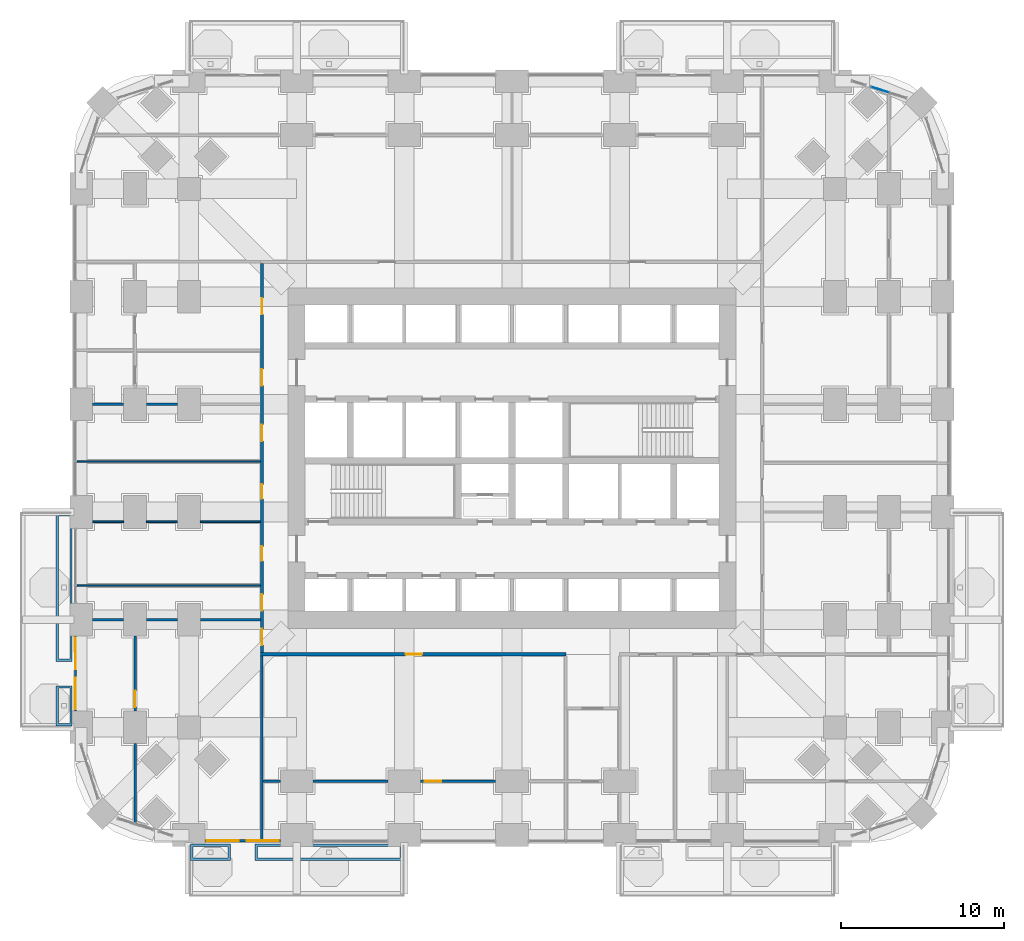
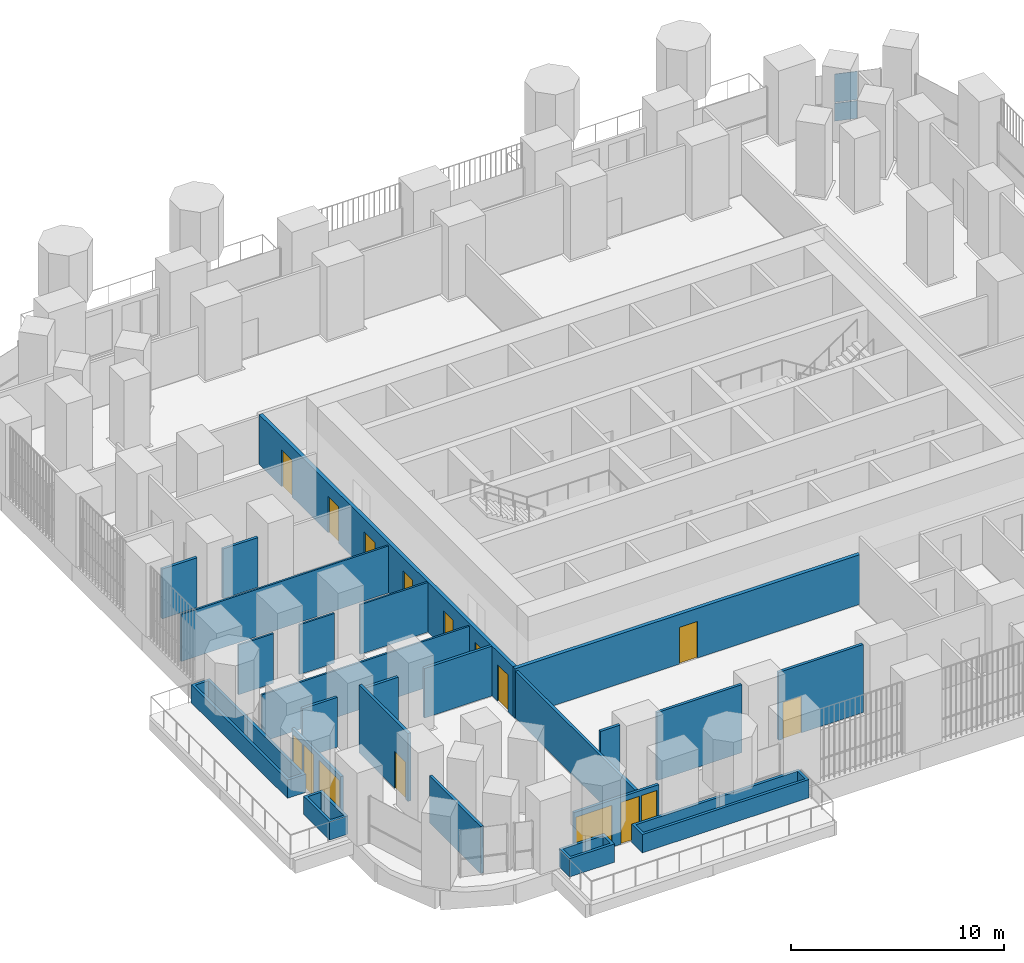
# One storey, part 16 of 25: 24 walls, 12 doors, 4 windows, 2 plates, 16 openings, 1 element without a shape of its own.
"""IFC4 building model written with IfcOpenShell, lengths in metres."""

from ifc_helpers import new_model, si_unit, direction, frame, frame_2d, origin, origin_2d, place, context, subcontext, project, spatial, polyline, rectangle, outline, extrude, material, layer, layer_set, type_object, element, fill, aggregate, save


model = new_model("IFC4")

# Units and contexts
model_context = context("Model", 3, precision=1e-05, world=origin(), true_north=direction((0.0, 1.0)))
body_context = subcontext(model_context, "Body", "Model", "MODEL_VIEW")
ifc_project = project(units=[si_unit("LENGTHUNIT", "METRE"), si_unit("AREAUNIT", "SQUARE_METRE"), si_unit("VOLUMEUNIT", "CUBIC_METRE"), si_unit("PLANEANGLEUNIT", "RADIAN"), si_unit("MASSUNIT", "GRAM", prefix="KILO")], contexts=[model_context])

# Site, building, storey
site_placement = place(None, origin())
site = spatial("IfcSite", under=ifc_project, at=site_placement, CompositionType="ELEMENT")
building_placement = place(site_placement, origin())
building = spatial("IfcBuilding", under=site, at=building_placement, Name="Cobogo Forest Laboratory Tower", CompositionType="ELEMENT")
storey_placement = place(building_placement, frame((0.0, 0.0, 21.300048828125)))
storey = spatial("IfcBuildingStorey", under=building, at=storey_placement, Name="L04", CompositionType="ELEMENT", Elevation=21.300048828125)

# Curtain wall, plates
ifc_material_1 = material(Name="Aluminium curtain wall", Category="aluminium")
curtain_wall_type = type_object("IfcCurtainWallType", Name="CW-1 unitised curtain wall, clear glazing, laboratory floors zones A and B", PredefinedType="USERDEFINED", material=ifc_material_1)
curtain_wall_placement = place(storey_placement, origin())
curtain_wall = element("IfcCurtainWall", 1, at=curtain_wall_placement, inside=storey, type_object=curtain_wall_type, Name="Curtain wall 16 L04", ObjectType="UNITISED CURTAIN WALL", PredefinedType="USERDEFINED")
ifc_material_2 = material(Name="Clear insulated glass", Category="glass")
ifc_layer_1 = layer(ifc_material_2, 0.028076171875)
ifc_layer_set_1 = layer_set([ifc_layer_1], Name="GP-1 clear insulated glass unit 28")
plate_type = type_object("IfcPlateType", Name="GP-1 clear insulated glass unit 28", PredefinedType="CURTAIN_PANEL", material=ifc_layer_set_1)
plate_1_placement = place(storey_placement, frame((48.963623046875, 45.67724609375, 0.0), z_axis=(0.0, 0.0, 1.0), x_axis=(-0.953581409645, 0.301135343623, 0.0)))
plate_1 = element("IfcPlate", 2, at=plate_1_placement, type_object=plate_type, Name="CW-1 panel 2.1", PredefinedType="CURTAIN_PANEL", context=body_context, shape_type="SweptSolid", body=[
    extrude(rectangle(XDim=1.11572265625, YDim=0.028076171875, at=origin_2d()), origin(), (0.0, 0.0, 1.0), 1.02001953125),
])
plate_2_placement = place(storey_placement, frame((48.963623046875, 45.67724609375, 1.079833984375), z_axis=(0.0, 0.0, 1.0), x_axis=(-0.953581409645, 0.301135343623, 0.0)))
plate_2 = element("IfcPlate", 3, at=plate_2_placement, type_object=plate_type, Name="CW-1 panel 2.2", PredefinedType="CURTAIN_PANEL", context=body_context, shape_type="SweptSolid", body=[
    extrude(rectangle(XDim=1.11572265625, YDim=0.028076171875, at=origin_2d()), origin(), (0.0, 0.0, 1.0), 1.6201171875),
])
aggregate(curtain_wall, [plate_1, plate_2])

# Wall, openings, door, windows
ifc_material_3 = material(Name="Aluminium framed glazed screen", Category="aluminium")
ifc_layer_2 = layer(ifc_material_3, 0.14990234375)
ifc_layer_set_2 = layer_set([ifc_layer_2], Name="GS1 glazed door screen 150")
wall_type_1 = type_object("IfcWallType", Name="GS1 glazed door screen 150", PredefinedType="SOLIDWALL", material=ifc_layer_set_2)
wall_1_placement = place(storey_placement, frame((7.60009765625, -0.35009765625, 0.0), z_axis=(0.0, 0.0, 1.0), x_axis=(1.0, 0.0, 0.0)))
wall_1 = element("IfcWall", 4, at=wall_1_placement, inside=storey, type_object=wall_type_1, Name="Door screen BAL-S1 L04", PredefinedType="SOLIDWALL", context=body_context, shape_type="SweptSolid", body=[
    extrude(rectangle(XDim=4.599853515625, YDim=0.14990234375, at=frame_2d((2.2998046875, 0.0))), origin(), (0.0, 0.0, 1.0), 2.699951171875),
])
opening_1_placement = place(wall_1_placement, frame((2.550048828125, 0.0, 0.0)))
opening_1 = element("IfcOpeningElement", 5, at=opening_1_placement, cuts=wall_1, Name="Opening L04-D01", PredefinedType="OPENING", context=body_context, shape_type="SweptSolid", body=[
    extrude(rectangle(XDim=1.0, YDim=2.39990234375, at=frame_2d((0.5, 1.199951171875))), frame((0.0, 0.0849609375, 0.0), z_axis=(0.0, -1.0, 0.0), x_axis=(1.0, 0.0, 0.0)), (0.0, 0.0, 1.0), 0.169921875),
])
opening_2_placement = place(wall_1_placement, frame((0.10009765625, 0.0, 0.10009765625)))
opening_2 = element("IfcOpeningElement", 6, at=opening_2_placement, cuts=wall_1, Name="Opening L04-W01", PredefinedType="OPENING", context=body_context, shape_type="SweptSolid", body=[
    extrude(rectangle(XDim=1.949951171875, YDim=2.300048828125, at=frame_2d((0.97509765625, 1.14990234375))), frame((0.0, 0.0849609375, 0.0), z_axis=(0.0, -1.0, 0.0), x_axis=(1.0, 0.0, 0.0)), (0.0, 0.0, 1.0), 0.169921875),
])
opening_3_placement = place(wall_1_placement, frame((3.64990234375, 0.0, 0.10009765625)))
opening_3 = element("IfcOpeningElement", 7, at=opening_3_placement, cuts=wall_1, Name="Opening L04-W02", PredefinedType="OPENING", context=body_context, shape_type="SweptSolid", body=[
    extrude(rectangle(XDim=0.85009765625, YDim=2.300048828125, at=frame_2d((0.425048828125, 1.14990234375))), frame((0.0, 0.0849609375, 0.0), z_axis=(0.0, -1.0, 0.0), x_axis=(1.0, 0.0, 0.0)), (0.0, 0.0, 1.0), 0.169921875),
])
ifc_material_4 = material(Name="Aluminium glazed door", Category="aluminium")
door_type_1 = type_object("IfcDoorType", Name="DB1 balcony door 1000 glazed", OperationType="SINGLE_SWING_LEFT", PredefinedType="DOOR", material=ifc_material_4)
door_1_placement = place(opening_1_placement, origin())
door_1 = element("IfcDoor", 8, at=door_1_placement, inside=storey, type_object=door_type_1, Name="Door L04-BAL-S1", OperationType="SINGLE_SWING_RIGHT", OverallHeight=2.39990234375, OverallWidth=1.0, PredefinedType="DOOR", context=body_context, shape_type="SweptSolid", body=[
    extrude(rectangle(XDim=1.0, YDim=2.39990234375, at=frame_2d((0.5, 1.199951171875))), frame((0.0, 0.02490234375, 0.0), z_axis=(0.0, -1.0, 0.0), x_axis=(1.0, 0.0, 0.0)), (0.0, 0.0, 1.0), 0.050048828125),
])
fill(opening_1, door_1)
ifc_material_5 = material(Name="Aluminium framed glazing", Category="aluminium")
window_type_1 = type_object("IfcWindowType", Name="WG1 fixed glazed light 1950x2300", PartitioningType="SINGLE_PANEL", PredefinedType="WINDOW", material=ifc_material_5)
window_1_placement = place(opening_2_placement, origin())
window_1 = element("IfcWindow", 9, at=window_1_placement, inside=storey, type_object=window_type_1, Name="Window L04-BAL-S1-1", OverallHeight=2.300048828125, OverallWidth=1.949951171875, PartitioningType="SINGLE_PANEL", PredefinedType="WINDOW", context=body_context, shape_type="SweptSolid", body=[
    extrude(rectangle(XDim=1.949951171875, YDim=2.300048828125, at=frame_2d((0.97509765625, 1.14990234375))), frame((0.0, 0.030029296875, 0.0), z_axis=(0.0, -1.0, 0.0), x_axis=(1.0, 0.0, 0.0)), (0.0, 0.0, 1.0), 0.06005859375),
])
fill(opening_2, window_1)
window_type_2 = type_object("IfcWindowType", Name="WG2 fixed glazed light 850x2300", PartitioningType="SINGLE_PANEL", PredefinedType="WINDOW", material=ifc_material_5)
window_2_placement = place(opening_3_placement, origin())
window_2 = element("IfcWindow", 10, at=window_2_placement, inside=storey, type_object=window_type_2, Name="Window L04-BAL-S1-2", OverallHeight=2.300048828125, OverallWidth=0.85009765625, PartitioningType="SINGLE_PANEL", PredefinedType="WINDOW", context=body_context, shape_type="SweptSolid", body=[
    extrude(rectangle(XDim=0.85009765625, YDim=2.300048828125, at=frame_2d((0.425048828125, 1.14990234375))), frame((0.0, 0.030029296875, 0.0), z_axis=(0.0, -1.0, 0.0), x_axis=(1.0, 0.0, 0.0)), (0.0, 0.0, 1.0), 0.06005859375),
])
fill(opening_3, window_2)

wall_2_placement = place(storey_placement, frame((-0.35009765625, 12.199951171875, 0.0), z_axis=(0.0, 0.0, 1.0), x_axis=(0.0, -1.0, 0.0)))
wall_2 = element("IfcWall", 11, at=wall_2_placement, inside=storey, type_object=wall_type_1, Name="Door screen BAL-W1 L04", PredefinedType="SOLIDWALL", context=body_context, shape_type="SweptSolid", body=[
    extrude(rectangle(XDim=4.599853515625, YDim=0.14990234375, at=frame_2d((2.2998046875, 0.0))), origin(), (0.0, 0.0, 1.0), 2.699951171875),
])
opening_4_placement = place(wall_2_placement, frame((1.050048828125, 0.0, 0.0)))
opening_4 = element("IfcOpeningElement", 12, at=opening_4_placement, cuts=wall_2, Name="Opening L04-D08", PredefinedType="OPENING", context=body_context, shape_type="SweptSolid", body=[
    extrude(rectangle(XDim=1.0, YDim=2.39990234375, at=frame_2d((0.5, 1.199951171875))), frame((0.0, 0.0849609375, 0.0), z_axis=(0.0, -1.0, 0.0), x_axis=(1.0, 0.0, 0.0)), (0.0, 0.0, 1.0), 0.169921875),
])
opening_5_placement = place(wall_2_placement, frame((0.10009765625, 0.0, 0.10009765625)))
opening_5 = element("IfcOpeningElement", 13, at=opening_5_placement, cuts=wall_2, Name="Opening L04-W07", PredefinedType="OPENING", context=body_context, shape_type="SweptSolid", body=[
    extrude(rectangle(XDim=0.85009765625, YDim=2.300048828125, at=frame_2d((0.425048828125, 1.14990234375))), frame((0.0, 0.0849609375, 0.0), z_axis=(0.0, -1.0, 0.0), x_axis=(1.0, 0.0, 0.0)), (0.0, 0.0, 1.0), 0.169921875),
])
opening_6_placement = place(wall_2_placement, frame((2.550048828125, 0.0, 0.10009765625)))
opening_6 = element("IfcOpeningElement", 14, at=opening_6_placement, cuts=wall_2, Name="Opening L04-W05", PredefinedType="OPENING", context=body_context, shape_type="SweptSolid", body=[
    extrude(rectangle(XDim=1.949951171875, YDim=2.300048828125, at=frame_2d((0.97509765625, 1.14990234375))), frame((0.0, 0.0849609375, 0.0), z_axis=(0.0, -1.0, 0.0), x_axis=(1.0, 0.0, 0.0)), (0.0, 0.0, 1.0), 0.169921875),
])
door_2_placement = place(opening_4_placement, origin())
door_2 = element("IfcDoor", 15, at=door_2_placement, inside=storey, type_object=door_type_1, Name="Door L04-BAL-W1", OperationType="SINGLE_SWING_LEFT", OverallHeight=2.39990234375, OverallWidth=1.0, PredefinedType="DOOR", context=body_context, shape_type="SweptSolid", body=[
    extrude(rectangle(XDim=1.0, YDim=2.39990234375, at=frame_2d((0.5, 1.199951171875))), frame((0.0, 0.02490234375, 0.0), z_axis=(0.0, -1.0, 0.0), x_axis=(1.0, 0.0, 0.0)), (0.0, 0.0, 1.0), 0.050048828125),
])
fill(opening_4, door_2)
window_3_placement = place(opening_6_placement, origin())
window_3 = element("IfcWindow", 16, at=window_3_placement, inside=storey, type_object=window_type_1, Name="Window L04-BAL-W1-2", OverallHeight=2.300048828125, OverallWidth=1.949951171875, PartitioningType="SINGLE_PANEL", PredefinedType="WINDOW", context=body_context, shape_type="SweptSolid", body=[
    extrude(rectangle(XDim=1.949951171875, YDim=2.300048828125, at=frame_2d((0.97509765625, 1.14990234375))), frame((0.0, 0.030029296875, 0.0), z_axis=(0.0, -1.0, 0.0), x_axis=(1.0, 0.0, 0.0)), (0.0, 0.0, 1.0), 0.06005859375),
])
fill(opening_6, window_3)
window_4_placement = place(opening_5_placement, origin())
window_4 = element("IfcWindow", 17, at=window_4_placement, inside=storey, type_object=window_type_2, Name="Window L04-BAL-W1-1", OverallHeight=2.300048828125, OverallWidth=0.85009765625, PartitioningType="SINGLE_PANEL", PredefinedType="WINDOW", context=body_context, shape_type="SweptSolid", body=[
    extrude(rectangle(XDim=0.85009765625, YDim=2.300048828125, at=frame_2d((0.425048828125, 1.14990234375))), frame((0.0, 0.030029296875, 0.0), z_axis=(0.0, -1.0, 0.0), x_axis=(1.0, 0.0, 0.0)), (0.0, 0.0, 1.0), 0.06005859375),
])
fill(opening_5, window_4)

# Walls
ifc_material_6 = material(Name="Gypsum board on steel studs", Category="steel")
ifc_layer_3 = layer(ifc_material_6, 0.14990234375)
ifc_layer_set_3 = layer_set([ifc_layer_3], Name="PT1 laboratory partition 150")
wall_type_2 = type_object("IfcWallType", Name="PT1 laboratory partition 150", PredefinedType="PARTITIONING", material=ifc_layer_set_3)
wall_3_placement = place(storey_placement, frame((11.074951171875, -0.27001953125, 0.0), z_axis=(0.0, 0.0, 1.0), x_axis=(0.0, 1.0, 0.0)))
element("IfcWall", 18, at=wall_3_placement, inside=storey, type_object=wall_type_2, Name="Partition PW-SW L04", PredefinedType="PARTITIONING", context=body_context, shape_type="SweptSolid", body=[
    extrude(rectangle(XDim=11.2451171875, YDim=0.14990234375, at=frame_2d((5.62255859375, 0.0))), origin(), (0.0, 0.0, 1.0), 2.699951171875),
])
wall_4_placement = place(storey_placement, frame((11.14990234375, 3.300048828125, 0.0), z_axis=(0.0, 0.0, 1.0), x_axis=(1.0, 0.0, 0.0)))
element("IfcWall", 19, at=wall_4_placement, inside=storey, type_object=wall_type_2, Name="Partition STRIP-S-1 L04", PredefinedType="PARTITIONING", context=body_context, shape_type="SweptSolid", body=[
    extrude(rectangle(XDim=1.050048828125, YDim=0.14990234375, at=frame_2d((0.52490234375, 0.0))), origin(), (0.0, 0.0, 1.0), 3.89990234375),
])
wall_5_placement = place(storey_placement, frame((14.199951171875, 3.300048828125, 0.0), z_axis=(0.0, 0.0, 1.0), x_axis=(1.0, 0.0, 0.0)))
element("IfcWall", 20, at=wall_5_placement, inside=storey, type_object=wall_type_2, Name="Partition STRIP-S-2 L04", PredefinedType="PARTITIONING", context=body_context, shape_type="SweptSolid", body=[
    extrude(rectangle(XDim=4.60009765625, YDim=0.14990234375, at=frame_2d((2.300048828125, 0.0))), origin(), (0.0, 0.0, 1.0), 3.89990234375),
])

# Wall, opening, door
wall_6_placement = place(storey_placement, frame((20.800048828125, 3.300048828125, 0.0), z_axis=(0.0, 0.0, 1.0), x_axis=(1.0, 0.0, 0.0)))
wall_6 = element("IfcWall", 21, at=wall_6_placement, inside=storey, type_object=wall_type_2, Name="Partition STRIP-S-3 L04", PredefinedType="PARTITIONING", context=body_context, shape_type="SweptSolid", body=[
    extrude(rectangle(XDim=4.599853515625, YDim=0.14990234375, at=frame_2d((2.2998046875, 0.0))), origin(), (0.0, 0.0, 1.0), 3.89990234375),
])
opening_7_placement = place(wall_6_placement, frame((0.25, 0.0, 0.0)))
opening_7 = element("IfcOpeningElement", 22, at=opening_7_placement, cuts=wall_6, Name="Opening L04-D03", PredefinedType="OPENING", context=body_context, shape_type="SweptSolid", body=[
    extrude(rectangle(XDim=1.0, YDim=2.10009765625, at=frame_2d((0.5, 1.050048828125))), frame((0.0, 0.0849609375, 0.0), z_axis=(0.0, -1.0, 0.0), x_axis=(1.0, 0.0, 0.0)), (0.0, 0.0, 1.0), 0.169921875),
])
ifc_material_7 = material(Name="Timber fire door", Category="wood")
door_type_2 = type_object("IfcDoorType", Name="FD2 fire door 1000 EI2 30", OperationType="SINGLE_SWING_LEFT", PredefinedType="DOOR", material=ifc_material_7)
door_3_placement = place(opening_7_placement, origin())
door_3 = element("IfcDoor", 23, at=door_3_placement, inside=storey, type_object=door_type_2, Name="Door L04-S1W", OperationType="SINGLE_SWING_LEFT", OverallHeight=2.10009765625, OverallWidth=1.0, PredefinedType="DOOR", context=body_context, shape_type="SweptSolid", body=[
    extrude(rectangle(XDim=1.0, YDim=2.10009765625, at=frame_2d((0.5, 1.050048828125))), frame((0.0, 0.02490234375, 0.0), z_axis=(0.0, -1.0, 0.0), x_axis=(1.0, 0.0, 0.0)), (0.0, 0.0, 1.0), 0.050048828125),
])
fill(opening_7, door_3)

wall_7_placement = place(storey_placement, frame((3.300048828125, 12.199951171875, 0.0), z_axis=(0.0, 0.0, 1.0), x_axis=(0.0, -1.0, 0.0)))
wall_7 = element("IfcWall", 24, at=wall_7_placement, inside=storey, type_object=wall_type_2, Name="Partition STRIP-W-3 L04", PredefinedType="PARTITIONING", context=body_context, shape_type="SweptSolid", body=[
    extrude(rectangle(XDim=4.599853515625, YDim=0.14990234375, at=frame_2d((2.2998046875, 0.0))), origin(), (0.0, 0.0, 1.0), 3.89990234375),
])
opening_8_placement = place(wall_7_placement, frame((3.35009765625, 0.0, 0.0)))
opening_8 = element("IfcOpeningElement", 25, at=opening_8_placement, cuts=wall_7, Name="Opening L04-D07", PredefinedType="OPENING", context=body_context, shape_type="SweptSolid", body=[
    extrude(rectangle(XDim=1.0, YDim=2.10009765625, at=frame_2d((0.5, 1.050048828125))), frame((0.0, 0.0849609375, 0.0), z_axis=(0.0, -1.0, 0.0), x_axis=(1.0, 0.0, 0.0)), (0.0, 0.0, 1.0), 0.169921875),
])
door_4_placement = place(opening_8_placement, origin())
door_4 = element("IfcDoor", 26, at=door_4_placement, inside=storey, type_object=door_type_2, Name="Door L04-W1W", OperationType="SINGLE_SWING_RIGHT", OverallHeight=2.10009765625, OverallWidth=1.0, PredefinedType="DOOR", context=body_context, shape_type="SweptSolid", body=[
    extrude(rectangle(XDim=1.0, YDim=2.10009765625, at=frame_2d((0.5, 1.050048828125))), frame((0.0, 0.02490234375, 0.0), z_axis=(0.0, -1.0, 0.0), x_axis=(1.0, 0.0, 0.0)), (0.0, 0.0, 1.0), 0.050048828125),
])
fill(opening_8, door_4)

# Walls
wall_8_placement = place(storey_placement, frame((3.300048828125, 5.60009765625, 0.0), z_axis=(0.0, 0.0, 1.0), x_axis=(0.0, -1.0, 0.0)))
element("IfcWall", 27, at=wall_8_placement, inside=storey, type_object=wall_type_2, Name="Partition STRIP-W-4 L04", PredefinedType="PARTITIONING", context=body_context, shape_type="SweptSolid", body=[
    extrude(rectangle(XDim=4.823974609375, YDim=0.14990234375, at=frame_2d((2.412109375, 0.0))), origin(), (0.0, 0.0, 1.0), 2.699951171875),
])
wall_9_placement = place(storey_placement, frame((0.699951171875, 13.199951171875, 0.0), z_axis=(0.0, 0.0, 1.0), x_axis=(1.0, 0.0, 0.0)))
element("IfcWall", 28, at=wall_9_placement, inside=storey, type_object=wall_type_2, Name="Partition CUT-W13.2-1 L04", PredefinedType="PARTITIONING", context=body_context, shape_type="SweptSolid", body=[
    extrude(rectangle(XDim=1.900146484375, YDim=0.14990234375, at=frame_2d((0.9501953125, 0.0))), origin(), (0.0, 0.0, 1.0), 2.849853515625),
])
wall_10_placement = place(storey_placement, frame((4.0, 13.199951171875, 0.0), z_axis=(0.0, 0.0, 1.0), x_axis=(1.0, 0.0, 0.0)))
element("IfcWall", 29, at=wall_10_placement, inside=storey, type_object=wall_type_2, Name="Partition CUT-W13.2-2 L04", PredefinedType="PARTITIONING", context=body_context, shape_type="SweptSolid", body=[
    extrude(rectangle(XDim=1.89990234375, YDim=0.14990234375, at=frame_2d((0.949951171875, 0.0))), origin(), (0.0, 0.0, 1.0), 2.849853515625),
])
wall_11_placement = place(storey_placement, frame((7.300048828125, 13.199951171875, 0.0), z_axis=(0.0, 0.0, 1.0), x_axis=(1.0, 0.0, 0.0)))
element("IfcWall", 30, at=wall_11_placement, inside=storey, type_object=wall_type_2, Name="Partition CUT-W13.2-3 L04", PredefinedType="PARTITIONING", context=body_context, shape_type="SweptSolid", body=[
    extrude(rectangle(XDim=3.675048828125, YDim=0.14990234375, at=frame_2d((1.83740234375, 0.0))), origin(), (0.0, 0.0, 1.0), 2.849853515625),
])
wall_12_placement = place(storey_placement, frame((0.699951171875, 26.39990234375, 0.0), z_axis=(0.0, 0.0, 1.0), x_axis=(1.0, 0.0, 0.0)))
element("IfcWall", 31, at=wall_12_placement, inside=storey, type_object=wall_type_2, Name="Partition CUT-W26.4-1 L04", PredefinedType="PARTITIONING", context=body_context, shape_type="SweptSolid", body=[
    extrude(rectangle(XDim=1.900146484375, YDim=0.14990234375, at=frame_2d((0.9501953125, 0.0))), origin(), (0.0, 0.0, 1.0), 2.849853515625),
])
wall_13_placement = place(storey_placement, frame((4.0, 26.39990234375, 0.0), z_axis=(0.0, 0.0, 1.0), x_axis=(1.0, 0.0, 0.0)))
element("IfcWall", 32, at=wall_13_placement, inside=storey, type_object=wall_type_2, Name="Partition CUT-W26.4-2 L04", PredefinedType="PARTITIONING", context=body_context, shape_type="SweptSolid", body=[
    extrude(rectangle(XDim=1.89990234375, YDim=0.14990234375, at=frame_2d((0.949951171875, 0.0))), origin(), (0.0, 0.0, 1.0), 2.849853515625),
])

# Wall, opening, door
ifc_layer_4 = layer(ifc_material_6, 0.199951171875)
ifc_layer_set_4 = layer_set([ifc_layer_4], Name="PT2 fire-rated corridor partition 200")
wall_type_3 = type_object("IfcWallType", Name="PT2 fire-rated corridor partition 200", PredefinedType="PARTITIONING", material=ifc_layer_set_4)
wall_14_placement = place(storey_placement, frame((10.97509765625, 11.074951171875, 0.0), z_axis=(0.0, 0.0, 1.0), x_axis=(1.0, 0.0, 0.0)))
wall_14 = element("IfcWall", 33, at=wall_14_placement, inside=storey, type_object=wall_type_3, Name="Partition CORR-S-1 L04", PredefinedType="PARTITIONING", context=body_context, shape_type="SweptSolid", body=[
    extrude(rectangle(XDim=18.724853515625, YDim=0.199951171875, at=frame_2d((9.3623046875, 0.0))), origin(), (0.0, 0.0, 1.0), 2.849853515625),
])
opening_9_placement = place(wall_14_placement, frame((8.91259765625, 0.0, 0.0)))
opening_9 = element("IfcOpeningElement", 34, at=opening_9_placement, cuts=wall_14, Name="Opening L04-D10", PredefinedType="OPENING", context=body_context, shape_type="SweptSolid", body=[
    extrude(rectangle(XDim=1.0, YDim=2.10009765625, at=frame_2d((0.5, 1.050048828125))), frame((0.0, 0.10986328125, 0.0), z_axis=(0.0, -1.0, 0.0), x_axis=(1.0, 0.0, 0.0)), (0.0, 0.0, 1.0), 0.219970703125),
])
door_5_placement = place(opening_9_placement, origin())
door_5 = element("IfcDoor", 35, at=door_5_placement, inside=storey, type_object=door_type_2, Name="Door L04-S1", OperationType="SINGLE_SWING_RIGHT", OverallHeight=2.10009765625, OverallWidth=1.0, PredefinedType="DOOR", context=body_context, shape_type="SweptSolid", body=[
    extrude(rectangle(XDim=1.0, YDim=2.10009765625, at=frame_2d((0.5, 1.050048828125))), frame((0.0, 0.02490234375, 0.0), z_axis=(0.0, -1.0, 0.0), x_axis=(1.0, 0.0, 0.0)), (0.0, 0.0, 1.0), 0.050048828125),
])
fill(opening_9, door_5)

# Wall, openings, doors
wall_15_placement = place(storey_placement, frame((11.074951171875, 11.175048828125, 0.0), z_axis=(0.0, 0.0, 1.0), x_axis=(0.0, 1.0, 0.0)))
wall_15 = element("IfcWall", 36, at=wall_15_placement, inside=storey, type_object=wall_type_3, Name="Partition CORR-W L04", PredefinedType="PARTITIONING", context=body_context, shape_type="SweptSolid", body=[
    extrude(rectangle(XDim=23.849853515625, YDim=0.199951171875, at=frame_2d((11.9248046875, 0.0))), origin(), (0.0, 0.0, 1.0), 2.849853515625),
])
opening_10_placement = place(wall_15_placement, frame((0.46240234375, 0.0, 0.0)))
opening_10 = element("IfcOpeningElement", 37, at=opening_10_placement, cuts=wall_15, Name="Opening L04-D14", PredefinedType="OPENING", context=body_context, shape_type="SweptSolid", body=[
    extrude(rectangle(XDim=1.0, YDim=2.10009765625, at=frame_2d((0.5, 1.050048828125))), frame((0.0, 0.10986328125, 0.0), z_axis=(0.0, -1.0, 0.0), x_axis=(1.0, 0.0, 0.0)), (0.0, 0.0, 1.0), 0.219970703125),
])
opening_11_placement = place(wall_15_placement, frame((2.574951171875, 0.0, 0.0)))
opening_11 = element("IfcOpeningElement", 38, at=opening_11_placement, cuts=wall_15, Name="Opening L04-D15", PredefinedType="OPENING", context=body_context, shape_type="SweptSolid", body=[
    extrude(rectangle(XDim=1.0, YDim=2.10009765625, at=frame_2d((0.5, 1.050048828125))), frame((0.0, 0.10986328125, 0.0), z_axis=(0.0, -1.0, 0.0), x_axis=(1.0, 0.0, 0.0)), (0.0, 0.0, 1.0), 0.219970703125),
])
opening_12_placement = place(wall_15_placement, frame((5.625, 0.0, 0.0)))
opening_12 = element("IfcOpeningElement", 39, at=opening_12_placement, cuts=wall_15, Name="Opening L04-D18", PredefinedType="OPENING", context=body_context, shape_type="SweptSolid", body=[
    extrude(rectangle(XDim=0.89990234375, YDim=2.10009765625, at=frame_2d((0.449951171875, 1.050048828125))), frame((0.0, 0.10986328125, 0.0), z_axis=(0.0, -1.0, 0.0), x_axis=(1.0, 0.0, 0.0)), (0.0, 0.0, 1.0), 0.219970703125),
])
opening_13_placement = place(wall_15_placement, frame((9.425048828125, 0.0, 0.0)))
opening_13 = element("IfcOpeningElement", 40, at=opening_13_placement, cuts=wall_15, Name="Opening L04-D25", PredefinedType="OPENING", context=body_context, shape_type="SweptSolid", body=[
    extrude(rectangle(XDim=0.89990234375, YDim=2.10009765625, at=frame_2d((0.449951171875, 1.050048828125))), frame((0.0, 0.10986328125, 0.0), z_axis=(0.0, -1.0, 0.0), x_axis=(1.0, 0.0, 0.0)), (0.0, 0.0, 1.0), 0.219970703125),
])
opening_14_placement = place(wall_15_placement, frame((12.97509765625, 0.0, 0.0)))
opening_14 = element("IfcOpeningElement", 41, at=opening_14_placement, cuts=wall_15, Name="Opening L04-D28", PredefinedType="OPENING", context=body_context, shape_type="SweptSolid", body=[
    extrude(rectangle(XDim=1.0, YDim=2.10009765625, at=frame_2d((0.5, 1.050048828125))), frame((0.0, 0.10986328125, 0.0), z_axis=(0.0, -1.0, 0.0), x_axis=(1.0, 0.0, 0.0)), (0.0, 0.0, 1.0), 0.219970703125),
])
opening_15_placement = place(wall_15_placement, frame((16.375, 0.0, 0.0)))
opening_15 = element("IfcOpeningElement", 42, at=opening_15_placement, cuts=wall_15, Name="Opening L04-D30", PredefinedType="OPENING", context=body_context, shape_type="SweptSolid", body=[
    extrude(rectangle(XDim=1.0, YDim=2.10009765625, at=frame_2d((0.5, 1.050048828125))), frame((0.0, 0.10986328125, 0.0), z_axis=(0.0, -1.0, 0.0), x_axis=(1.0, 0.0, 0.0)), (0.0, 0.0, 1.0), 0.219970703125),
])
opening_16_placement = place(wall_15_placement, frame((20.737548828125, 0.0, 0.0)))
opening_16 = element("IfcOpeningElement", 43, at=opening_16_placement, cuts=wall_15, Name="Opening L04-D36", PredefinedType="OPENING", context=body_context, shape_type="SweptSolid", body=[
    extrude(rectangle(XDim=1.0, YDim=2.10009765625, at=frame_2d((0.5, 1.050048828125))), frame((0.0, 0.10986328125, 0.0), z_axis=(0.0, -1.0, 0.0), x_axis=(1.0, 0.0, 0.0)), (0.0, 0.0, 1.0), 0.219970703125),
])
ifc_material_8 = material(Name="Steel fire door", Category="steel")
door_type_3 = type_object("IfcDoorType", Name="FD1 fire door 1000 EI2 60", OperationType="SINGLE_SWING_LEFT", PredefinedType="DOOR", material=ifc_material_8)
door_6_placement = place(opening_16_placement, origin())
door_6 = element("IfcDoor", 44, at=door_6_placement, inside=storey, type_object=door_type_3, Name="Door L04-W4", OperationType="SINGLE_SWING_RIGHT", OverallHeight=2.10009765625, OverallWidth=1.0, PredefinedType="DOOR", context=body_context, shape_type="SweptSolid", body=[
    extrude(rectangle(XDim=1.0, YDim=2.10009765625, at=frame_2d((0.5, 1.050048828125))), frame((0.0, 0.02490234375, 0.0), z_axis=(0.0, -1.0, 0.0), x_axis=(1.0, 0.0, 0.0)), (0.0, 0.0, 1.0), 0.050048828125),
])
fill(opening_16, door_6)
door_7_placement = place(opening_10_placement, origin())
door_7 = element("IfcDoor", 45, at=door_7_placement, inside=storey, type_object=door_type_2, Name="Door L04-W1", OperationType="SINGLE_SWING_LEFT", OverallHeight=2.10009765625, OverallWidth=1.0, PredefinedType="DOOR", context=body_context, shape_type="SweptSolid", body=[
    extrude(rectangle(XDim=1.0, YDim=2.10009765625, at=frame_2d((0.5, 1.050048828125))), frame((0.0, 0.02490234375, 0.0), z_axis=(0.0, -1.0, 0.0), x_axis=(1.0, 0.0, 0.0)), (0.0, 0.0, 1.0), 0.050048828125),
])
fill(opening_10, door_7)
door_8_placement = place(opening_14_placement, origin())
door_8 = element("IfcDoor", 46, at=door_8_placement, inside=storey, type_object=door_type_2, Name="Door L04-SHW", OperationType="SINGLE_SWING_RIGHT", OverallHeight=2.10009765625, OverallWidth=1.0, PredefinedType="DOOR", context=body_context, shape_type="SweptSolid", body=[
    extrude(rectangle(XDim=1.0, YDim=2.10009765625, at=frame_2d((0.5, 1.050048828125))), frame((0.0, 0.02490234375, 0.0), z_axis=(0.0, -1.0, 0.0), x_axis=(1.0, 0.0, 0.0)), (0.0, 0.0, 1.0), 0.050048828125),
])
fill(opening_14, door_8)
door_9_placement = place(opening_15_placement, origin())
door_9 = element("IfcDoor", 47, at=door_9_placement, inside=storey, type_object=door_type_2, Name="Door L04-W3", OperationType="SINGLE_SWING_RIGHT", OverallHeight=2.10009765625, OverallWidth=1.0, PredefinedType="DOOR", context=body_context, shape_type="SweptSolid", body=[
    extrude(rectangle(XDim=1.0, YDim=2.10009765625, at=frame_2d((0.5, 1.050048828125))), frame((0.0, 0.02490234375, 0.0), z_axis=(0.0, -1.0, 0.0), x_axis=(1.0, 0.0, 0.0)), (0.0, 0.0, 1.0), 0.050048828125),
])
fill(opening_15, door_9)
door_type_4 = type_object("IfcDoorType", Name="FD3 toilet fire door 900 EI2 30", OperationType="SINGLE_SWING_LEFT", PredefinedType="DOOR", material=ifc_material_7)
door_10_placement = place(opening_12_placement, origin())
door_10 = element("IfcDoor", 48, at=door_10_placement, inside=storey, type_object=door_type_4, Name="Door L04-WCF", OperationType="SINGLE_SWING_LEFT", OverallHeight=2.10009765625, OverallWidth=0.89990234375, PredefinedType="DOOR", context=body_context, shape_type="SweptSolid", body=[
    extrude(rectangle(XDim=0.89990234375, YDim=2.10009765625, at=frame_2d((0.449951171875, 1.050048828125))), frame((0.0, 0.02490234375, 0.0), z_axis=(0.0, -1.0, 0.0), x_axis=(1.0, 0.0, 0.0)), (0.0, 0.0, 1.0), 0.050048828125),
])
fill(opening_12, door_10)
door_11_placement = place(opening_13_placement, origin())
door_11 = element("IfcDoor", 49, at=door_11_placement, inside=storey, type_object=door_type_4, Name="Door L04-WCM", OperationType="SINGLE_SWING_LEFT", OverallHeight=2.10009765625, OverallWidth=0.89990234375, PredefinedType="DOOR", context=body_context, shape_type="SweptSolid", body=[
    extrude(rectangle(XDim=0.89990234375, YDim=2.10009765625, at=frame_2d((0.449951171875, 1.050048828125))), frame((0.0, 0.02490234375, 0.0), z_axis=(0.0, -1.0, 0.0), x_axis=(1.0, 0.0, 0.0)), (0.0, 0.0, 1.0), 0.050048828125),
])
fill(opening_13, door_11)
door_type_5 = type_object("IfcDoorType", Name="FDA1 accessible toilet fire door 1000 EI2 30", OperationType="SINGLE_SWING_RIGHT", PredefinedType="DOOR", material=ifc_material_7)
door_12_placement = place(opening_11_placement, origin())
door_12 = element("IfcDoor", 50, at=door_12_placement, inside=storey, type_object=door_type_5, Name="Door L04-WCA", OperationType="SINGLE_SWING_LEFT", OverallHeight=2.10009765625, OverallWidth=1.0, PredefinedType="DOOR", context=body_context, shape_type="SweptSolid", body=[
    extrude(rectangle(XDim=1.0, YDim=2.10009765625, at=frame_2d((0.5, 1.050048828125))), frame((0.0, 0.02490234375, 0.0), z_axis=(0.0, -1.0, 0.0), x_axis=(1.0, 0.0, 0.0)), (0.0, 0.0, 1.0), 0.050048828125),
])
fill(opening_11, door_12)

# Walls
ifc_layer_5 = layer(ifc_material_6, 0.10009765625)
ifc_layer_set_5 = layer_set([ifc_layer_5], Name="PT3 toilet partition 100")
wall_type_4 = type_object("IfcWallType", Name="PT3 toilet partition 100", PredefinedType="PARTITIONING", material=ifc_layer_set_5)
wall_16_placement = place(storey_placement, frame((-0.27001953125, 15.300048828125, 0.0), z_axis=(0.0, 0.0, 1.0), x_axis=(1.0, 0.0, 0.0)))
element("IfcWall", 51, at=wall_16_placement, inside=storey, type_object=wall_type_4, Name="Partition SVC-W1-1 L04", PredefinedType="PARTITIONING", context=body_context, shape_type="SweptSolid", body=[
    extrude(rectangle(XDim=11.2451171875, YDim=0.10009765625, at=frame_2d((5.62255859375, 0.0))), origin(), (0.0, 0.0, 1.0), 2.699951171875),
])
wall_17_placement = place(storey_placement, frame((0.699951171875, 19.199951171875, 0.0), z_axis=(0.0, 0.0, 1.0), x_axis=(1.0, 0.0, 0.0)))
element("IfcWall", 52, at=wall_17_placement, inside=storey, type_object=wall_type_4, Name="Partition SVC-W2-1 L04", PredefinedType="PARTITIONING", context=body_context, shape_type="SweptSolid", body=[
    extrude(rectangle(XDim=1.900146484375, YDim=0.10009765625, at=frame_2d((0.9501953125, 0.0))), origin(), (0.0, 0.0, 1.0), 2.849853515625),
])
wall_18_placement = place(storey_placement, frame((4.0, 19.199951171875, 0.0), z_axis=(0.0, 0.0, 1.0), x_axis=(1.0, 0.0, 0.0)))
element("IfcWall", 53, at=wall_18_placement, inside=storey, type_object=wall_type_4, Name="Partition SVC-W2-2 L04", PredefinedType="PARTITIONING", context=body_context, shape_type="SweptSolid", body=[
    extrude(rectangle(XDim=1.89990234375, YDim=0.10009765625, at=frame_2d((0.949951171875, 0.0))), origin(), (0.0, 0.0, 1.0), 2.849853515625),
])
wall_19_placement = place(storey_placement, frame((7.300048828125, 19.199951171875, 0.0), z_axis=(0.0, 0.0, 1.0), x_axis=(1.0, 0.0, 0.0)))
element("IfcWall", 54, at=wall_19_placement, inside=storey, type_object=wall_type_4, Name="Partition SVC-W2-3 L04", PredefinedType="PARTITIONING", context=body_context, shape_type="SweptSolid", body=[
    extrude(rectangle(XDim=3.675048828125, YDim=0.10009765625, at=frame_2d((1.83740234375, 0.0))), origin(), (0.0, 0.0, 1.0), 2.849853515625),
])
wall_20_placement = place(storey_placement, frame((-0.27001953125, 22.89990234375, 0.0), z_axis=(0.0, 0.0, 1.0), x_axis=(1.0, 0.0, 0.0)))
element("IfcWall", 55, at=wall_20_placement, inside=storey, type_object=wall_type_4, Name="Partition SVC-W3-1 L04", PredefinedType="PARTITIONING", context=body_context, shape_type="SweptSolid", body=[
    extrude(rectangle(XDim=11.2451171875, YDim=0.10009765625, at=frame_2d((5.62255859375, 0.0))), origin(), (0.0, 0.0, 1.0), 2.699951171875),
])
ifc_material_9 = material(Name="Concrete HA-40 (C40/50)", Category="concrete")
ifc_layer_6 = layer(ifc_material_9, 0.14990234375)
ifc_layer_set_6 = layer_set([ifc_layer_6], Name="Planter box 1000x1050")
wall_type_5 = type_object("IfcWallType", Name="Planter box 1000x1050", PredefinedType="USERDEFINED", material=ifc_layer_set_6)
wall_21_placement = place(storey_placement, origin())
element("IfcWall", 56, at=wall_21_placement, inside=storey, type_object=wall_type_5, Name="Planter BAL-S1-1 L04", ObjectType="PLANTER", PredefinedType="USERDEFINED", context=body_context, shape_type="SweptSolid", body=[
    extrude(outline(polyline([(6.699951171875, -1.550048828125), (9.14990234375, -1.550048828125), (9.14990234375, -0.550048828125), (6.699951171875, -0.550048828125), (6.699951171875, -1.550048828125)]), holes=[polyline([(6.85009765625, -1.39990234375), (9.0, -1.39990234375), (9.0, -0.699951171875), (6.85009765625, -0.699951171875), (6.85009765625, -1.39990234375)])]), origin(), (0.0, 0.0, 1.0), 1.050048828125),
])
wall_22_placement = place(storey_placement, origin())
element("IfcWall", 57, at=wall_22_placement, inside=storey, type_object=wall_type_5, Name="Planter BAL-S1-2 L04", ObjectType="PLANTER", PredefinedType="USERDEFINED", context=body_context, shape_type="SweptSolid", body=[
    extrude(outline(polyline([(10.64990234375, -1.550048828125), (19.699951171875, -1.550048828125), (19.699951171875, -0.550048828125), (10.64990234375, -0.550048828125), (10.64990234375, -1.550048828125)]), holes=[polyline([(10.800048828125, -1.39990234375), (19.550048828125, -1.39990234375), (19.550048828125, -0.699951171875), (10.800048828125, -0.699951171875), (10.800048828125, -1.39990234375)])]), origin(), (0.0, 0.0, 1.0), 1.050048828125),
])
wall_23_placement = place(storey_placement, origin())
element("IfcWall", 58, at=wall_23_placement, inside=storey, type_object=wall_type_5, Name="Planter BAL-W1-1 L04", ObjectType="PLANTER", PredefinedType="USERDEFINED", context=body_context, shape_type="SweptSolid", body=[
    extrude(outline(polyline([(-1.550048828125, 6.699951171875), (-0.550048828125, 6.699951171875), (-0.550048828125, 9.14990234375), (-1.550048828125, 9.14990234375), (-1.550048828125, 6.699951171875)]), holes=[polyline([(-1.39990234375, 6.85009765625), (-0.699951171875, 6.85009765625), (-0.699951171875, 9.0), (-1.39990234375, 9.0), (-1.39990234375, 6.85009765625)])]), origin(), (0.0, 0.0, 1.0), 1.050048828125),
])
wall_24_placement = place(storey_placement, origin())
element("IfcWall", 59, at=wall_24_placement, inside=storey, type_object=wall_type_5, Name="Planter BAL-W1-2 L04", ObjectType="PLANTER", PredefinedType="USERDEFINED", context=body_context, shape_type="SweptSolid", body=[
    extrude(outline(polyline([(-1.550048828125, 10.64990234375), (-0.550048828125, 10.64990234375), (-0.550048828125, 19.699951171875), (-1.550048828125, 19.699951171875), (-1.550048828125, 10.64990234375)]), holes=[polyline([(-1.39990234375, 10.800048828125), (-0.699951171875, 10.800048828125), (-0.699951171875, 19.550048828125), (-1.39990234375, 19.550048828125), (-1.39990234375, 10.800048828125)])]), origin(), (0.0, 0.0, 1.0), 1.050048828125),
])

save(model, "model.ifc")
